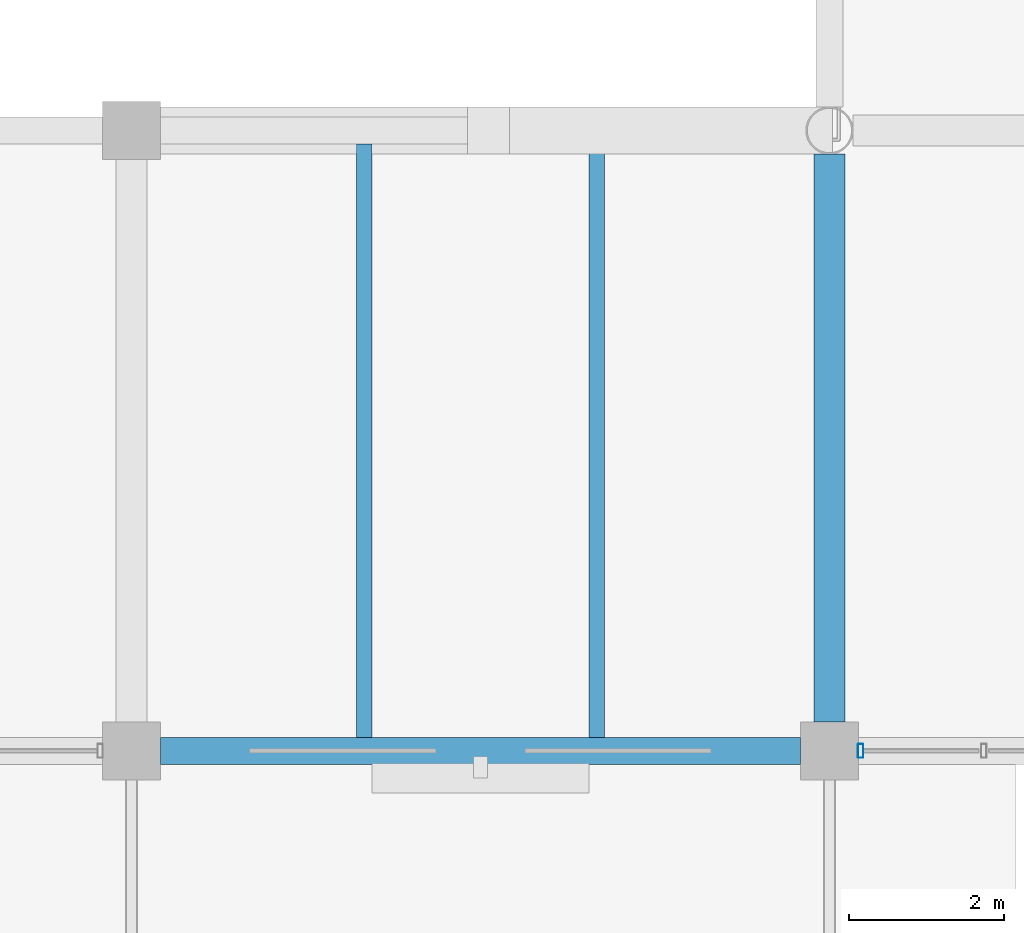
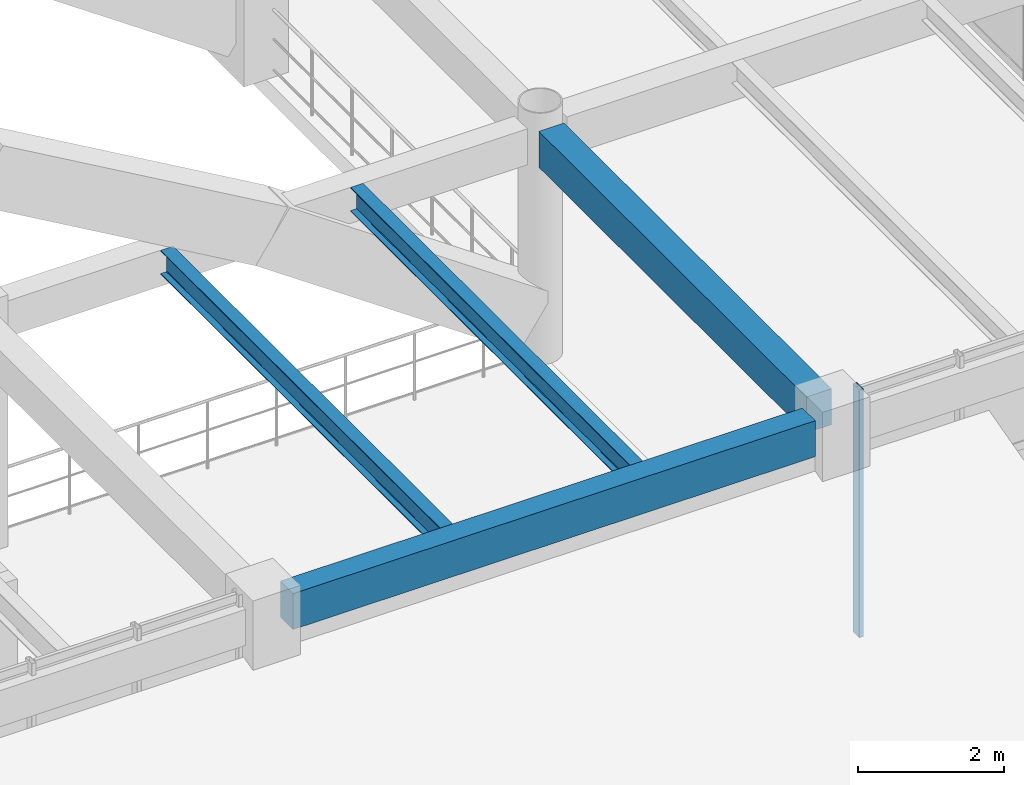
# One storey, part 30 of 148: 4 beams, 1 member, 1 element without a shape of its own.
"""IFC4 building model written with IfcOpenShell, lengths in metres."""

import ifcopenshell
import ifcopenshell.guid

model = None  # the IFC model being written
_history = None  # IfcOwnerHistory: only IFC2X3 demands one
_inside = {}  # id of a spatial element -> (the spatial element, [elements in it])
_under = {}  # id of a project, library or spatial element -> (it, [spatial elements below it])
_declared = {}  # id of a project -> (the project, [libraries it declares])
_typed = {}  # id of a type object -> (the type object, [elements of that type])
_made_of = {}  # id of a material, layer set ... -> (it, [elements and type objects made of it])


def new_model(schema):
    """Start an empty IFC model of exactly this schema.

    Asked for "IFC4X3", IfcOpenShell would pick the latest addendum, in which some entities
    have other attributes; the version numbers below select the first issue.
    IFC2X3 requires an IfcOwnerHistory on every rooted entity: one is made here for all.
    """
    global model, _history
    if schema == "IFC4X3":
        model = ifcopenshell.file(schema_version=(4, 3, 0, 0))
    else:
        model = ifcopenshell.file(schema=schema)
    _inside.clear()
    _under.clear()
    _declared.clear()
    _typed.clear()
    _made_of.clear()
    _history = None
    if model.schema == "IFC2X3":
        org = make("IfcOrganization", Name="unknown")
        user = make(
            "IfcPersonAndOrganization",
            ThePerson=make("IfcPerson", FamilyName="unknown"),
            TheOrganization=org,
        )
        app = make(
            "IfcApplication",
            ApplicationDeveloper=org,
            Version="unknown",
            ApplicationFullName="unknown",
            ApplicationIdentifier="unknown",
        )
        _history = make(
            "IfcOwnerHistory",
            OwningUser=user,
            OwningApplication=app,
            ChangeAction="ADDED",
            CreationDate=0,
        )
    return model


def make(cls, **values):
    """One entity of the class cls with the attributes given. An attribute that is None is left unset."""
    return model.create_entity(
        cls, **{name: value for name, value in values.items() if value is not None}
    )


def rooted(cls, **values):
    """An entity with a GlobalId (a new one), such as an element, a storey or a relation."""
    return make(cls, GlobalId=ifcopenshell.guid.new(), OwnerHistory=_history, **values)


def si_unit(unit_type, name, prefix=None):
    """IfcSIUnit, for example si_unit("LENGTHUNIT", "METRE", prefix="MILLI")."""
    return make("IfcSIUnit", UnitType=unit_type, Prefix=prefix, Name=name)


def derived_unit(unit_type, elements):
    """IfcDerivedUnit: a product of units, each with its exponent."""
    return make(
        "IfcDerivedUnit",
        Elements=[
            make("IfcDerivedUnitElement", Unit=unit, Exponent=power)
            for unit, power in elements
        ],
        UnitType=unit_type,
    )


def assignment(units):
    """IfcUnitAssignment: the units of a project."""
    return None if units is None else make("IfcUnitAssignment", Units=units)


def point(xyz):
    """IfcCartesianPoint."""
    return None if xyz is None else make("IfcCartesianPoint", Coordinates=xyz)


def direction(xyz):
    """IfcDirection."""
    return None if xyz is None else make("IfcDirection", DirectionRatios=xyz)


def frame(location, z_axis=None, x_axis=None):
    """IfcAxis2Placement3D, a coordinate frame: its origin and axes. An axis left out is left unset."""
    return make(
        "IfcAxis2Placement3D",
        Location=point(location),
        Axis=direction(z_axis),
        RefDirection=direction(x_axis),
    )


def frame_2d(location, x_axis=None):
    """IfcAxis2Placement2D, a coordinate frame in the plane: its origin and x axis."""
    return make(
        "IfcAxis2Placement2D", Location=point(location), RefDirection=direction(x_axis)
    )


def origin():
    """The frame at (0, 0, 0) with its axes left unset."""
    return frame((0.0, 0.0, 0.0))


def origin_2d():
    """The frame at (0, 0) in the plane with its x axis left unset."""
    return frame_2d((0.0, 0.0))


def place(relative_to, where):
    """IfcLocalPlacement: puts the frame where relative to a parent placement (None: the world)."""
    return make(
        "IfcLocalPlacement", PlacementRelTo=relative_to, RelativePlacement=where
    )


def context(
    kind, dimensions, precision=None, world=None, true_north=None, identifier=None
):
    """IfcGeometricRepresentationContext, for example the 3D "Model" context."""
    return make(
        "IfcGeometricRepresentationContext",
        ContextIdentifier=identifier,
        ContextType=kind,
        CoordinateSpaceDimension=dimensions,
        Precision=precision,
        WorldCoordinateSystem=world,
        TrueNorth=true_north,
    )


def subcontext(parent, identifier, kind, view, scale=None):
    """IfcGeometricRepresentationSubContext, for example "Body" below "Model"."""
    return make(
        "IfcGeometricRepresentationSubContext",
        ContextIdentifier=identifier,
        ContextType=kind,
        ParentContext=parent,
        TargetScale=scale,
        TargetView=view,
    )


def project(units=None, contexts=None):
    """IfcProject with its units and contexts."""
    return rooted(
        "IfcProject",
        Name="project",
        RepresentationContexts=contexts,
        UnitsInContext=assignment(units),
    )


def spatial(cls, under=None, at=None, **own):
    """A site, building, storey or space (cls), placed at a placement, below another one or the project."""
    s = rooted(cls, ObjectPlacement=at, **own)
    if under is not None:
        _under.setdefault(under.id(), (under, []))[1].append(s)
    return s


def profile(cls, at=None, kind="AREA", **sizes):
    """A parametric profile (cls). Its sizes go by their IFC names, for example OverallWidth=200.0."""
    return make(cls, ProfileType=kind, Position=at, **sizes)


def rectangle(**sizes):
    """IfcRectangleProfileDef."""
    return profile("IfcRectangleProfileDef", **sizes)


def hollow_rectangle(**sizes):
    """IfcRectangleHollowProfileDef."""
    return profile("IfcRectangleHollowProfileDef", **sizes)


def i_section(**sizes):
    """IfcIShapeProfileDef."""
    return profile("IfcIShapeProfileDef", **sizes)


def extrude(swept, where, along, depth):
    """IfcExtrudedAreaSolid: the profile swept, set in the frame where, extruded along a direction by depth."""
    return make(
        "IfcExtrudedAreaSolid",
        SweptArea=swept,
        Position=where,
        ExtrudedDirection=direction(along),
        Depth=depth,
    )


def shape(context_of_items, identifier, shape_type, items):
    """IfcShapeRepresentation: the items that make up one representation, for example the "Body"."""
    return make(
        "IfcShapeRepresentation",
        ContextOfItems=context_of_items,
        RepresentationIdentifier=identifier,
        RepresentationType=shape_type,
        Items=items,
    )


def material(Name=None, Category=None):
    """IfcMaterial."""
    return make("IfcMaterial", Name=Name, Category=Category)


def material_profile(
    of_material, cross_section, Name=None, Category=None, Priority=None
):
    """IfcMaterialProfile: a cross section and its material."""
    return make(
        "IfcMaterialProfile",
        Name=Name,
        Material=of_material,
        Profile=cross_section,
        Priority=Priority,
        Category=Category,
    )


def profile_set(profiles, Name=None, composite=None):
    """IfcMaterialProfileSet."""
    return make(
        "IfcMaterialProfileSet",
        Name=Name,
        MaterialProfiles=profiles,
        CompositeProfile=composite,
    )


def made_of(thing, what):
    """Note that an element or type object is made of a material, layer set ...; save() writes the relation."""
    if what is not None:
        _made_of.setdefault(what.id(), (what, []))[1].append(thing)
    return thing


def type_object(cls, material=None, **own):
    """A type object (cls), such as IfcWallType, which elements share."""
    return made_of(rooted(cls, **own), material)


def element(
    cls,
    number,
    at=None,
    inside=None,
    cuts=None,
    type_object=None,
    material=None,
    context=None,
    identifier="Body",
    shape_type=None,
    held_by="IfcProductDefinitionShape",
    body=None,
    shapes=None,
    **own,
):
    """One element of the class cls, such as IfcWall. Its Tag is "e" and its number.

    at: its placement. inside: the storey or other place that contains it. cuts: it is an
    opening in that element (IfcRelVoidsElement). A single representation is given by context,
    identifier, shape_type and body (its items); several are given by shapes. held_by: the class
    of the entity that holds the representations. save() writes the other relations.
    """
    e = rooted(cls, Tag="e%d" % number, ObjectPlacement=at, **own)
    if body is not None:
        shapes = [shape(context, identifier, shape_type, body)]
    if shapes is not None:
        e.Representation = make(held_by, Representations=shapes)
    if inside is not None:
        _inside.setdefault(inside.id(), (inside, []))[1].append(e)
    if cuts is not None:
        rooted(
            "IfcRelVoidsElement", RelatingBuildingElement=cuts, RelatedOpeningElement=e
        )
    if type_object is not None:
        _typed.setdefault(type_object.id(), (type_object, []))[1].append(e)
    return made_of(e, material)


def aggregate(whole, parts):
    """IfcRelAggregates: a whole, such as a stair, and the parts it consists of."""
    return rooted("IfcRelAggregates", RelatingObject=whole, RelatedObjects=parts)


def save(model, path):
    """Write the relations noted so far, then the file.

    IfcRelAggregates (storeys below a building ...), IfcRelContainedInSpatialStructure (elements
    in a storey), IfcRelDefinesByType, IfcRelAssociatesMaterial and IfcRelDeclares: one each for
    every whole, place, type object, material and project.
    """
    for whole, parts in _under.values():
        aggregate(whole, parts)
    for where, things in _inside.values():
        rooted(
            "IfcRelContainedInSpatialStructure",
            RelatedElements=things,
            RelatingStructure=where,
        )
    for kind, things in _typed.values():
        rooted("IfcRelDefinesByType", RelatedObjects=things, RelatingType=kind)
    for what, things in _made_of.values():
        rooted("IfcRelAssociatesMaterial", RelatedObjects=things, RelatingMaterial=what)
    for by, libraries in _declared.values():
        rooted("IfcRelDeclares", RelatingContext=by, RelatedDefinitions=libraries)
    model.write(path)


model = new_model("IFC4")

# Units and contexts
model_context = context("Model", 3, precision=1e-05, world=origin(), true_north=direction((0.0, 1.0)))
body_context = subcontext(model_context, "Body", "Model", "MODEL_VIEW")
ifc_project = project(units=[si_unit("LENGTHUNIT", "METRE"), si_unit("AREAUNIT", "SQUARE_METRE"), si_unit("VOLUMEUNIT", "CUBIC_METRE"), si_unit("PLANEANGLEUNIT", "RADIAN"), si_unit("MASSUNIT", "GRAM", prefix="KILO"), derived_unit("THERMALTRANSMITTANCEUNIT", [(si_unit("MASSUNIT", "GRAM", prefix="KILO"), 1), (si_unit("TIMEUNIT", "SECOND"), -3), (si_unit("THERMODYNAMICTEMPERATUREUNIT", "KELVIN"), -1)])], contexts=[model_context])

# Site, building, storey
site_placement = place(None, origin())
site = spatial("IfcSite", under=ifc_project, at=site_placement, CompositionType="ELEMENT")
building_placement = place(site_placement, origin())
building = spatial("IfcBuilding", under=site, at=building_placement, Name="Zhenchuan Archway Interchange", CompositionType="ELEMENT")
storey_placement = place(building_placement, frame((0.0, 0.0, 10.199951171875)))
storey = spatial("IfcBuildingStorey", under=building, at=storey_placement, Name="L02", CompositionType="ELEMENT", Elevation=10.199951171875)

# Beam
ifc_material_1 = material(Name="Concrete C40", Category="concrete")
ifc_material_profile_1 = material_profile(ifc_material_1, rectangle(XDim=0.39990234375, YDim=0.60009765625, at=origin_2d()), Name="RC 400x600")
ifc_profile_set_1 = profile_set([ifc_material_profile_1], Name="Concrete C40")
beam_type_1 = type_object("IfcBeamType", Name="BM_RC_400x600", PredefinedType="BEAM", material=ifc_profile_set_1)
beam_1_placement = place(storey_placement, frame((63.0, 24.375, 3.64013671875), z_axis=(0.0, 1.0, 0.0), x_axis=(-1.0, 0.0, 0.0)))
element("IfcBeam", 1, at=beam_1_placement, inside=storey, type_object=beam_type_1, Name="Beam 8:D-E (L02)", PredefinedType="BEAM", context=body_context, shape_type="SweptSolid", body=[
    extrude(rectangle(XDim=0.39990234375, YDim=0.60009765625, at=origin_2d()), origin(), (0.0, 0.0, 1.0), 7.320068359375),
])

# Curtain wall, member
ifc_material_2 = material(Name="Anodised Aluminium", Category="aluminium")
curtain_wall_type = type_object("IfcCurtainWallType", Name="CW_UNIT_4", PredefinedType="NOTDEFINED", material=ifc_material_2)
curtain_wall_placement = place(storey_placement, origin())
curtain_wall = element("IfcCurtainWall", 2, at=curtain_wall_placement, inside=storey, type_object=curtain_wall_type, Name="Unitised curtain wall CW:L02:123", PredefinedType="NOTDEFINED")
ifc_material_profile_2 = material_profile(ifc_material_2, hollow_rectangle(XDim=0.070068359375, YDim=0.179931640625, WallThickness=0.00390625, InnerFilletRadius=0.00390625, OuterFilletRadius=0.008056640625, at=origin_2d()), Name="ALU 180x70x4")
ifc_profile_set_2 = profile_set([ifc_material_profile_2], Name="Anodised Aluminium")
member_type = type_object("IfcMemberType", Name="CW_MUL_180", PredefinedType="MULLION", material=ifc_profile_set_2)
member_placement = place(storey_placement, frame((63.403076171875, 24.0, 0.0), z_axis=(0.0, 0.0, 1.0), x_axis=(1.0, 0.0, 0.0)))
member = element("IfcMember", 3, at=member_placement, type_object=member_type, Name="CW:L02:123 mullion 5", PredefinedType="MULLION", context=body_context, shape_type="SweptSolid", body=[
    extrude(hollow_rectangle(XDim=0.070068359375, YDim=0.179931640625, WallThickness=0.00390625, InnerFilletRadius=0.00390625, OuterFilletRadius=0.008056640625, at=origin_2d()), origin(), (0.0, 0.0, 1.0), 4.14013671875),
])
aggregate(curtain_wall, [member])

# Beams
ifc_material_3 = material(Name="Steel Q355", Category="steel")
ifc_material_profile_3 = material_profile(ifc_material_3, i_section(OverallWidth=0.199951171875, OverallDepth=0.39990234375, WebThickness=0.008056640625, FlangeThickness=0.012939453125, FilletRadius=0.01611328125, at=origin_2d()), Name="HN 400x200")
ifc_profile_set_3 = profile_set([ifc_material_profile_3], Name="Steel Q355")
beam_type_2 = type_object("IfcBeamType", Name="JST_STL_HN400", PredefinedType="JOIST", material=ifc_profile_set_3)
for number, where, z_axis, x_axis, name in (
    (4, (57.0, 24.175048828125, 3.739990234375), (0.0, 1.0, 0.0), (-1.0, 0.0, 0.0), "Secondary joist 7-8/D-E #1 (L02)"),
    (5, (60.0, 24.175048828125, 3.739990234375), (0.0, 1.0, 0.0), (-1.0, 0.0, 0.0), "Secondary joist 7-8/D-E #2 (L02)"),
):
    element("IfcBeam", number, at=place(storey_placement, frame(where, z_axis=z_axis, x_axis=x_axis)), inside=storey, type_object=beam_type_2, Name=name, PredefinedType="JOIST", context=body_context, shape_type="SweptSolid", body=[
        extrude(i_section(OverallWidth=0.199951171875, OverallDepth=0.39990234375, WebThickness=0.008056640625, FlangeThickness=0.012939453125, FilletRadius=0.01611328125, at=origin_2d()), origin(), (0.0, 0.0, 1.0), 7.64990234375),
    ])
ifc_material_profile_4 = material_profile(ifc_material_1, rectangle(XDim=0.35009765625, YDim=0.60009765625, at=origin_2d()), Name="RC 350x600")
ifc_profile_set_4 = profile_set([ifc_material_profile_4], Name="Concrete C40")
beam_type_3 = type_object("IfcBeamType", Name="SP_RC_350x600", PredefinedType="SPANDREL", material=ifc_profile_set_4)
beam_2_placement = place(storey_placement, frame((54.375, 24.0, 3.64013671875), z_axis=(1.0, 0.0, 0.0), x_axis=(0.0, 1.0, 0.0)))
element("IfcBeam", 6, at=beam_2_placement, inside=storey, type_object=beam_type_3, Name="Beam D:7-8 (L02)", PredefinedType="SPANDREL", context=body_context, shape_type="SweptSolid", body=[
    extrude(rectangle(XDim=0.35009765625, YDim=0.60009765625, at=origin_2d()), origin(), (0.0, 0.0, 1.0), 8.25),
])

save(model, "model.ifc")
